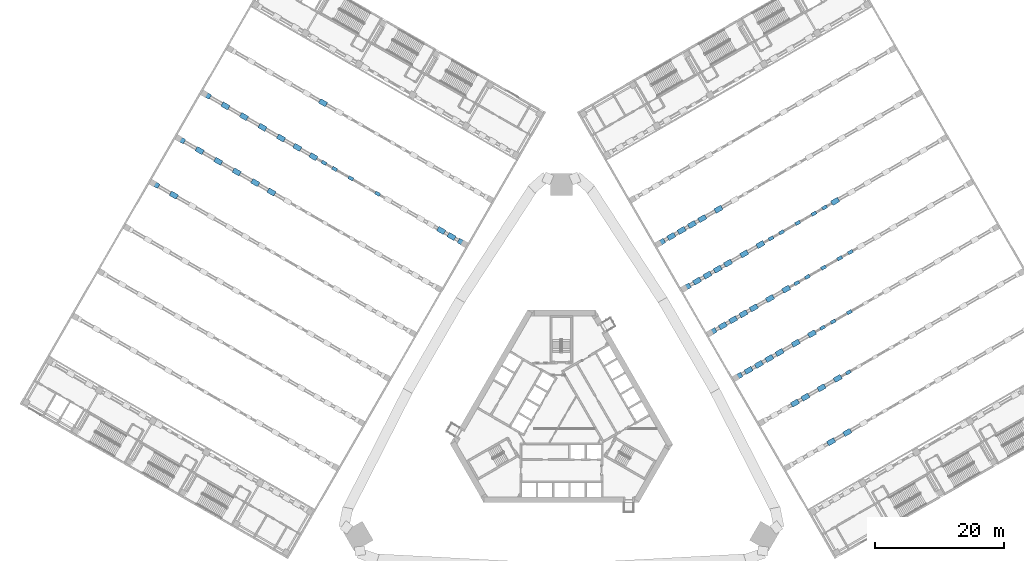
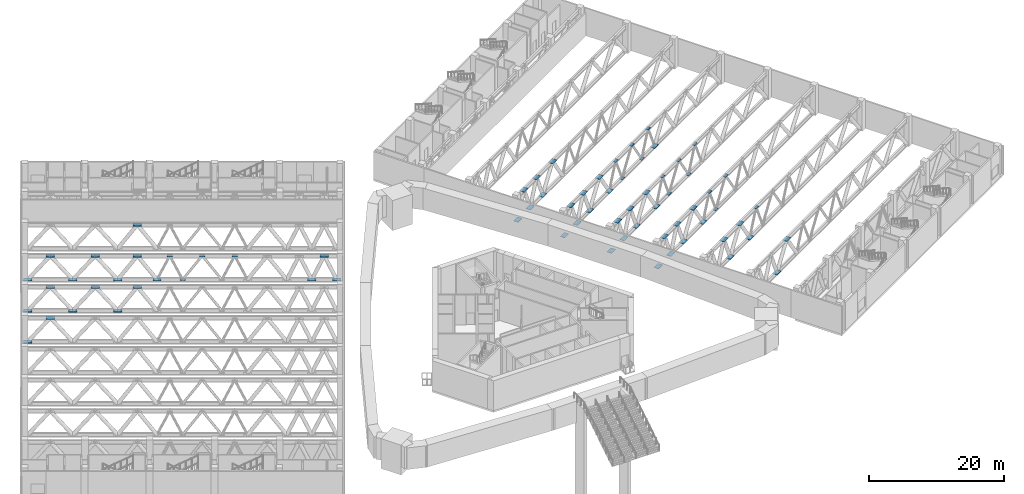
# One storey, part 28 of 37: 71 discrete accessories.
"""IFC4 building model written with IfcOpenShell, lengths in metres."""

from ifc_helpers import new_model, si_unit, direction, frame, origin, place, context, subcontext, project, spatial, polyline, outline, extrude, material, layer, layer_set, type_object, element, save


model = new_model("IFC4")

# Units and contexts
model_context = context("Model", 3, precision=1e-05, world=origin(), true_north=direction((0.0, 1.0)))
body_context = subcontext(model_context, "Body", "Model", "MODEL_VIEW")
ifc_project = project(units=[si_unit("LENGTHUNIT", "METRE"), si_unit("AREAUNIT", "SQUARE_METRE"), si_unit("VOLUMEUNIT", "CUBIC_METRE"), si_unit("PLANEANGLEUNIT", "RADIAN"), si_unit("MASSUNIT", "GRAM", prefix="KILO")], contexts=[model_context])

# Site, building, storey
site_placement = place(None, origin())
site = spatial("IfcSite", under=ifc_project, at=site_placement, CompositionType="ELEMENT")
building_placement = place(site_placement, origin())
building = spatial("IfcBuilding", under=site, at=building_placement, Name="Mestral Congress Tower", CompositionType="ELEMENT")
storey_placement = place(building_placement, frame((0.0, 0.0, 16.199951171875)))
storey = spatial("IfcBuildingStorey", under=building, at=storey_placement, Name="L03", CompositionType="ELEMENT", Elevation=16.199951171875)

# Discrete accessories
ifc_material = material(Name="Steel S355", Category="steel")
ifc_layer_1 = layer(ifc_material, 0.02490234375)
ifc_layer_set_1 = layer_set([ifc_layer_1], Name="Steel S355")
discrete_accessory_type_1 = type_object("IfcDiscreteAccessoryType", Name="Brace end gusset plate 25 S355", PredefinedType="BRACKET", material=ifc_layer_set_1)
placement_1 = place(storey_placement, frame((0.0, 0.0, 4.6875)))
element("IfcDiscreteAccessory", 1, at=placement_1, inside=storey, type_object=discrete_accessory_type_1, Name="Brace end gusset plate 25 S355", PredefinedType="BRACKET", context=body_context, shape_type="SweptSolid", body=[
    extrude(outline(polyline([(-37.3251953125, 39.7197265625), (-36.62109375, 39.3134765625), (-36.357177734375, 39.77099609375), (-37.06103515625, 40.177490234375), (-37.3251953125, 39.7197265625)])), origin(), (0.0, 0.0, 1.0), 0.025146484375),
])
placement_2 = place(storey_placement, frame((0.0, 0.0, 0.387451171875)))
element("IfcDiscreteAccessory", 2, at=placement_2, inside=storey, type_object=discrete_accessory_type_1, Name="Brace end gusset plate 25 S355", PredefinedType="BRACKET", context=body_context, shape_type="SweptSolid", body=[
    extrude(outline(polyline([(-35.6796875, 38.769775390625), (-34.9755859375, 38.36328125), (-34.711669921875, 38.821044921875), (-35.41552734375, 39.227294921875), (-35.6796875, 38.769775390625)])), origin(), (0.0, 0.0, 1.0), 0.025146484375),
])
element("IfcDiscreteAccessory", 3, at=placement_1, inside=storey, type_object=discrete_accessory_type_1, Name="Brace end gusset plate 25 S355", PredefinedType="BRACKET", context=body_context, shape_type="SweptSolid", body=[
    extrude(outline(polyline([(-33.168212890625, 37.31982421875), (-32.464111328125, 36.913330078125), (-32.2001953125, 37.37109375), (-32.904052734375, 37.77734375), (-33.168212890625, 37.31982421875)])), origin(), (0.0, 0.0, 1.0), 0.025146484375),
])
element("IfcDiscreteAccessory", 4, at=placement_1, inside=storey, type_object=discrete_accessory_type_1, Name="Brace end gusset plate 25 S355", PredefinedType="BRACKET", context=body_context, shape_type="SweptSolid", body=[
    extrude(outline(polyline([(-29.01123046875, 34.919921875), (-28.307373046875, 34.513427734375), (-28.043212890625, 34.970947265625), (-28.7470703125, 35.37744140625), (-29.01123046875, 34.919921875)])), origin(), (0.0, 0.0, 1.0), 0.025146484375),
])
element("IfcDiscreteAccessory", 5, at=placement_1, inside=storey, type_object=discrete_accessory_type_1, Name="Brace end gusset plate 25 S355", PredefinedType="BRACKET", context=body_context, shape_type="SweptSolid", body=[
    extrude(outline(polyline([(32.7470703125, 28.44921875), (32.043212890625, 28.042724609375), (32.307373046875, 27.585205078125), (33.01123046875, 27.99169921875), (32.7470703125, 28.44921875)])), origin(), (0.0, 0.0, 1.0), 0.025146484375),
])
element("IfcDiscreteAccessory", 6, at=placement_2, inside=storey, type_object=discrete_accessory_type_1, Name="Brace end gusset plate 25 S355", PredefinedType="BRACKET", context=body_context, shape_type="SweptSolid", body=[
    extrude(outline(polyline([(34.392578125, 29.399169921875), (33.688720703125, 28.992919921875), (33.952880859375, 28.53515625), (34.65673828125, 28.941650390625), (34.392578125, 29.399169921875)])), origin(), (0.0, 0.0, 1.0), 0.025146484375),
])
element("IfcDiscreteAccessory", 7, at=placement_1, inside=storey, type_object=discrete_accessory_type_1, Name="Brace end gusset plate 25 S355", PredefinedType="BRACKET", context=body_context, shape_type="SweptSolid", body=[
    extrude(outline(polyline([(36.7470703125, 21.52099609375), (36.043212890625, 21.114501953125), (36.307373046875, 20.656982421875), (37.01123046875, 21.0634765625), (36.7470703125, 21.52099609375)])), origin(), (0.0, 0.0, 1.0), 0.025146484375),
])
element("IfcDiscreteAccessory", 8, at=placement_1, inside=storey, type_object=discrete_accessory_type_1, Name="Brace end gusset plate 25 S355", PredefinedType="BRACKET", context=body_context, shape_type="SweptSolid", body=[
    extrude(outline(polyline([(36.904052734375, 30.84912109375), (36.2001953125, 30.44287109375), (36.464111328125, 29.985107421875), (37.168212890625, 30.3916015625), (36.904052734375, 30.84912109375)])), origin(), (0.0, 0.0, 1.0), 0.025146484375),
])
element("IfcDiscreteAccessory", 9, at=placement_2, inside=storey, type_object=discrete_accessory_type_1, Name="Brace end gusset plate 25 S355", PredefinedType="BRACKET", context=body_context, shape_type="SweptSolid", body=[
    extrude(outline(polyline([(38.392578125, 22.470947265625), (37.688720703125, 22.064697265625), (37.952880859375, 21.60693359375), (38.65673828125, 22.013427734375), (38.392578125, 22.470947265625)])), origin(), (0.0, 0.0, 1.0), 0.025146484375),
])
element("IfcDiscreteAccessory", 10, at=placement_2, inside=storey, type_object=discrete_accessory_type_1, Name="Brace end gusset plate 25 S355", PredefinedType="BRACKET", context=body_context, shape_type="SweptSolid", body=[
    extrude(outline(polyline([(39.41552734375, 32.29931640625), (38.711669921875, 31.892822265625), (38.9755859375, 31.435302734375), (39.6796875, 31.841552734375), (39.41552734375, 32.29931640625)])), origin(), (0.0, 0.0, 1.0), 0.025146484375),
])
element("IfcDiscreteAccessory", 11, at=placement_1, inside=storey, type_object=discrete_accessory_type_1, Name="Brace end gusset plate 25 S355", PredefinedType="BRACKET", context=body_context, shape_type="SweptSolid", body=[
    extrude(outline(polyline([(40.7470703125, 14.5927734375), (40.043212890625, 14.186279296875), (40.307373046875, 13.728759765625), (41.01123046875, 14.13525390625), (40.7470703125, 14.5927734375)])), origin(), (0.0, 0.0, 1.0), 0.025146484375),
])
element("IfcDiscreteAccessory", 12, at=placement_1, inside=storey, type_object=discrete_accessory_type_1, Name="Brace end gusset plate 25 S355", PredefinedType="BRACKET", context=body_context, shape_type="SweptSolid", body=[
    extrude(outline(polyline([(40.904052734375, 23.9208984375), (40.2001953125, 23.5146484375), (40.464111328125, 23.056884765625), (41.168212890625, 23.46337890625), (40.904052734375, 23.9208984375)])), origin(), (0.0, 0.0, 1.0), 0.025146484375),
])
element("IfcDiscreteAccessory", 13, at=placement_1, inside=storey, type_object=discrete_accessory_type_1, Name="Brace end gusset plate 25 S355", PredefinedType="BRACKET", context=body_context, shape_type="SweptSolid", body=[
    extrude(outline(polyline([(41.06103515625, 33.249267578125), (40.357177734375, 32.8427734375), (40.62109375, 32.38525390625), (41.3251953125, 32.79150390625), (41.06103515625, 33.249267578125)])), origin(), (0.0, 0.0, 1.0), 0.025146484375),
])
element("IfcDiscreteAccessory", 14, at=placement_2, inside=storey, type_object=discrete_accessory_type_1, Name="Brace end gusset plate 25 S355", PredefinedType="BRACKET", context=body_context, shape_type="SweptSolid", body=[
    extrude(outline(polyline([(42.392578125, 15.542724609375), (41.688720703125, 15.136474609375), (41.952880859375, 14.6787109375), (42.65673828125, 15.085205078125), (42.392578125, 15.542724609375)])), origin(), (0.0, 0.0, 1.0), 0.025146484375),
])
element("IfcDiscreteAccessory", 15, at=placement_2, inside=storey, type_object=discrete_accessory_type_1, Name="Brace end gusset plate 25 S355", PredefinedType="BRACKET", context=body_context, shape_type="SweptSolid", body=[
    extrude(outline(polyline([(43.41552734375, 25.37109375), (42.711669921875, 24.964599609375), (42.9755859375, 24.507080078125), (43.6796875, 24.913330078125), (43.41552734375, 25.37109375)])), origin(), (0.0, 0.0, 1.0), 0.025146484375),
])
element("IfcDiscreteAccessory", 16, at=placement_1, inside=storey, type_object=discrete_accessory_type_1, Name="Brace end gusset plate 25 S355", PredefinedType="BRACKET", context=body_context, shape_type="SweptSolid", body=[
    extrude(outline(polyline([(44.7470703125, 7.66455078125), (44.043212890625, 7.25830078125), (44.307373046875, 6.800537109375), (45.01123046875, 7.20703125), (44.7470703125, 7.66455078125)])), origin(), (0.0, 0.0, 1.0), 0.025146484375),
])
element("IfcDiscreteAccessory", 17, at=placement_1, inside=storey, type_object=discrete_accessory_type_1, Name="Brace end gusset plate 25 S355", PredefinedType="BRACKET", context=body_context, shape_type="SweptSolid", body=[
    extrude(outline(polyline([(44.904052734375, 16.992919921875), (44.2001953125, 16.58642578125), (44.464111328125, 16.12890625), (45.168212890625, 16.53515625), (44.904052734375, 16.992919921875)])), origin(), (0.0, 0.0, 1.0), 0.025146484375),
])
element("IfcDiscreteAccessory", 18, at=placement_1, inside=storey, type_object=discrete_accessory_type_1, Name="Brace end gusset plate 25 S355", PredefinedType="BRACKET", context=body_context, shape_type="SweptSolid", body=[
    extrude(outline(polyline([(45.06103515625, 26.321044921875), (44.357177734375, 25.91455078125), (44.62109375, 25.45703125), (45.3251953125, 25.86328125), (45.06103515625, 26.321044921875)])), origin(), (0.0, 0.0, 1.0), 0.025146484375),
])
ifc_layer_2 = layer(ifc_material, 0.034912109375)
ifc_layer_set_2 = layer_set([ifc_layer_2], Name="Steel S355")
discrete_accessory_type_2 = type_object("IfcDiscreteAccessoryType", Name="Brace end gusset plate 35 S355", PredefinedType="BRACKET", material=ifc_layer_set_2)
placement_3 = place(storey_placement, frame((0.0, 0.0, 0.382568359375)))
element("IfcDiscreteAccessory", 19, at=placement_3, inside=storey, type_object=discrete_accessory_type_2, Name="Brace end gusset plate 35 S355", PredefinedType="BRACKET", context=body_context, shape_type="SweptSolid", body=[
    extrude(outline(polyline([(-63.754150390625, 36.3505859375), (-62.697509765625, 35.740478515625), (-62.301025390625, 36.427490234375), (-63.357666015625, 37.037353515625), (-63.754150390625, 36.3505859375)])), origin(), (0.0, 0.0, 1.0), 0.034912109375),
])
placement_4 = place(storey_placement, frame((0.0, 0.0, 4.6826171875)))
element("IfcDiscreteAccessory", 20, at=placement_4, inside=storey, type_object=discrete_accessory_type_2, Name="Brace end gusset plate 35 S355", PredefinedType="BRACKET", context=body_context, shape_type="SweptSolid", body=[
    extrude(outline(polyline([(-60.87451171875, 34.68798828125), (-59.818115234375, 34.078125), (-59.421630859375, 34.764892578125), (-60.47802734375, 35.375), (-60.87451171875, 34.68798828125)])), origin(), (0.0, 0.0, 1.0), 0.034912109375),
])
element("IfcDiscreteAccessory", 21, at=placement_3, inside=storey, type_object=discrete_accessory_type_2, Name="Brace end gusset plate 35 S355", PredefinedType="BRACKET", context=body_context, shape_type="SweptSolid", body=[
    extrude(outline(polyline([(-59.754150390625, 43.27880859375), (-58.697509765625, 42.668701171875), (-58.301025390625, 43.355712890625), (-59.357666015625, 43.965576171875), (-59.754150390625, 43.27880859375)])), origin(), (0.0, 0.0, 1.0), 0.034912109375),
])
element("IfcDiscreteAccessory", 22, at=placement_4, inside=storey, type_object=discrete_accessory_type_2, Name="Brace end gusset plate 35 S355", PredefinedType="BRACKET", context=body_context, shape_type="SweptSolid", body=[
    extrude(outline(polyline([(-56.87451171875, 41.6162109375), (-55.818115234375, 41.00634765625), (-55.421630859375, 41.693115234375), (-56.47802734375, 42.302978515625), (-56.87451171875, 41.6162109375)])), origin(), (0.0, 0.0, 1.0), 0.034912109375),
])
element("IfcDiscreteAccessory", 23, at=placement_3, inside=storey, type_object=discrete_accessory_type_2, Name="Brace end gusset plate 35 S355", PredefinedType="BRACKET", context=body_context, shape_type="SweptSolid", body=[
    extrude(outline(polyline([(-55.754150390625, 50.20703125), (-54.697509765625, 49.596923828125), (-54.301025390625, 50.28369140625), (-55.357666015625, 50.893798828125), (-55.754150390625, 50.20703125)])), origin(), (0.0, 0.0, 1.0), 0.034912109375),
])
element("IfcDiscreteAccessory", 24, at=placement_3, inside=storey, type_object=discrete_accessory_type_2, Name="Brace end gusset plate 35 S355", PredefinedType="BRACKET", context=body_context, shape_type="SweptSolid", body=[
    extrude(outline(polyline([(-53.9951171875, 39.953857421875), (-52.9384765625, 39.34375), (-52.5419921875, 40.030517578125), (-53.598388671875, 40.640625), (-53.9951171875, 39.953857421875)])), origin(), (0.0, 0.0, 1.0), 0.034912109375),
])
element("IfcDiscreteAccessory", 25, at=placement_4, inside=storey, type_object=discrete_accessory_type_2, Name="Brace end gusset plate 35 S355", PredefinedType="BRACKET", context=body_context, shape_type="SweptSolid", body=[
    extrude(outline(polyline([(-52.87451171875, 48.54443359375), (-51.818115234375, 47.9345703125), (-51.421630859375, 48.621337890625), (-52.47802734375, 49.231201171875), (-52.87451171875, 48.54443359375)])), origin(), (0.0, 0.0, 1.0), 0.034912109375),
])
element("IfcDiscreteAccessory", 26, at=placement_4, inside=storey, type_object=discrete_accessory_type_2, Name="Brace end gusset plate 35 S355", PredefinedType="BRACKET", context=body_context, shape_type="SweptSolid", body=[
    extrude(outline(polyline([(-51.115478515625, 38.291259765625), (-50.05908203125, 37.681396484375), (-49.66259765625, 38.3681640625), (-50.718994140625, 38.97802734375), (-51.115478515625, 38.291259765625)])), origin(), (0.0, 0.0, 1.0), 0.034912109375),
])
element("IfcDiscreteAccessory", 27, at=placement_3, inside=storey, type_object=discrete_accessory_type_2, Name="Brace end gusset plate 35 S355", PredefinedType="BRACKET", context=body_context, shape_type="SweptSolid", body=[
    extrude(outline(polyline([(-49.9951171875, 46.882080078125), (-48.9384765625, 46.27197265625), (-48.5419921875, 46.958740234375), (-49.598388671875, 47.56884765625), (-49.9951171875, 46.882080078125)])), origin(), (0.0, 0.0, 1.0), 0.034912109375),
])
element("IfcDiscreteAccessory", 28, at=placement_3, inside=storey, type_object=discrete_accessory_type_2, Name="Brace end gusset plate 35 S355", PredefinedType="BRACKET", context=body_context, shape_type="SweptSolid", body=[
    extrude(outline(polyline([(-48.236083984375, 36.62890625), (-47.179443359375, 36.018798828125), (-46.782958984375, 36.70556640625), (-47.839599609375, 37.315673828125), (-48.236083984375, 36.62890625)])), origin(), (0.0, 0.0, 1.0), 0.034912109375),
])
element("IfcDiscreteAccessory", 29, at=placement_4, inside=storey, type_object=discrete_accessory_type_2, Name="Brace end gusset plate 35 S355", PredefinedType="BRACKET", context=body_context, shape_type="SweptSolid", body=[
    extrude(outline(polyline([(-47.115478515625, 45.219482421875), (-46.05908203125, 44.609619140625), (-45.66259765625, 45.29638671875), (-46.718994140625, 45.90625), (-47.115478515625, 45.219482421875)])), origin(), (0.0, 0.0, 1.0), 0.034912109375),
])
element("IfcDiscreteAccessory", 30, at=placement_4, inside=storey, type_object=discrete_accessory_type_2, Name="Brace end gusset plate 35 S355", PredefinedType="BRACKET", context=body_context, shape_type="SweptSolid", body=[
    extrude(outline(polyline([(-45.724609375, 35.1787109375), (-44.66796875, 34.56884765625), (-44.271484375, 35.255615234375), (-45.327880859375, 35.865478515625), (-45.724609375, 35.1787109375)])), origin(), (0.0, 0.0, 1.0), 0.034912109375),
])
element("IfcDiscreteAccessory", 31, at=placement_3, inside=storey, type_object=discrete_accessory_type_2, Name="Brace end gusset plate 35 S355", PredefinedType="BRACKET", context=body_context, shape_type="SweptSolid", body=[
    extrude(outline(polyline([(-44.236083984375, 43.556884765625), (-43.179443359375, 42.947021484375), (-42.782958984375, 43.6337890625), (-43.839599609375, 44.243896484375), (-44.236083984375, 43.556884765625)])), origin(), (0.0, 0.0, 1.0), 0.034912109375),
])
element("IfcDiscreteAccessory", 32, at=placement_4, inside=storey, type_object=discrete_accessory_type_2, Name="Brace end gusset plate 35 S355", PredefinedType="BRACKET", context=body_context, shape_type="SweptSolid", body=[
    extrude(outline(polyline([(-41.724609375, 42.10693359375), (-40.66796875, 41.4970703125), (-40.271484375, 42.183837890625), (-41.327880859375, 42.793701171875), (-41.724609375, 42.10693359375)])), origin(), (0.0, 0.0, 1.0), 0.034912109375),
])
element("IfcDiscreteAccessory", 33, at=placement_3, inside=storey, type_object=discrete_accessory_type_2, Name="Brace end gusset plate 35 S355", PredefinedType="BRACKET", context=body_context, shape_type="SweptSolid", body=[
    extrude(outline(polyline([(-37.760009765625, 40.73388671875), (-38.81640625, 41.34375), (-39.212890625, 40.656982421875), (-38.156494140625, 40.047119140625), (-37.760009765625, 40.73388671875)])), origin(), (0.0, 0.0, 1.0), 0.034912109375),
])
element("IfcDiscreteAccessory", 34, at=placement_4, inside=storey, type_object=discrete_accessory_type_2, Name="Brace end gusset plate 35 S355", PredefinedType="BRACKET", context=body_context, shape_type="SweptSolid", body=[
    extrude(outline(polyline([(-37.724609375, 49.03515625), (-36.66796875, 48.42529296875), (-36.271484375, 49.112060546875), (-37.327880859375, 49.721923828125), (-37.724609375, 49.03515625)])), origin(), (0.0, 0.0, 1.0), 0.034912109375),
])
element("IfcDiscreteAccessory", 35, at=placement_3, inside=storey, type_object=discrete_accessory_type_2, Name="Brace end gusset plate 35 S355", PredefinedType="BRACKET", context=body_context, shape_type="SweptSolid", body=[
    extrude(outline(polyline([(-19.381103515625, 29.20703125), (-18.324462890625, 28.596923828125), (-17.927978515625, 29.28369140625), (-18.984619140625, 29.893798828125), (-19.381103515625, 29.20703125)])), origin(), (0.0, 0.0, 1.0), 0.034912109375),
])
element("IfcDiscreteAccessory", 36, at=placement_4, inside=storey, type_object=discrete_accessory_type_2, Name="Brace end gusset plate 35 S355", PredefinedType="BRACKET", context=body_context, shape_type="SweptSolid", body=[
    extrude(outline(polyline([(-17.77880859375, 28.281982421875), (-16.722412109375, 27.672119140625), (-16.325927734375, 28.35888671875), (-17.38232421875, 28.96875), (-17.77880859375, 28.281982421875)])), origin(), (0.0, 0.0, 1.0), 0.034912109375),
])
element("IfcDiscreteAccessory", 37, at=placement_3, inside=storey, type_object=discrete_accessory_type_2, Name="Brace end gusset plate 35 S355", PredefinedType="BRACKET", context=body_context, shape_type="SweptSolid", body=[
    extrude(outline(polyline([(-14.7236328125, 27.433837890625), (-15.7802734375, 28.043701171875), (-16.1767578125, 27.35693359375), (-15.1201171875, 26.7470703125), (-14.7236328125, 27.433837890625)])), origin(), (0.0, 0.0, 1.0), 0.034912109375),
])
element("IfcDiscreteAccessory", 38, at=placement_3, inside=storey, type_object=discrete_accessory_type_2, Name="Brace end gusset plate 35 S355", PredefinedType="BRACKET", context=body_context, shape_type="SweptSolid", body=[
    extrude(outline(polyline([(15.1201171875, 26.7470703125), (16.1767578125, 27.35693359375), (15.7802734375, 28.043701171875), (14.7236328125, 27.433837890625), (15.1201171875, 26.7470703125)])), origin(), (0.0, 0.0, 1.0), 0.034912109375),
])
element("IfcDiscreteAccessory", 39, at=placement_4, inside=storey, type_object=discrete_accessory_type_2, Name="Brace end gusset plate 35 S355", PredefinedType="BRACKET", context=body_context, shape_type="SweptSolid", body=[
    extrude(outline(polyline([(17.38232421875, 28.96875), (16.325927734375, 28.35888671875), (16.722412109375, 27.672119140625), (17.77880859375, 28.281982421875), (17.38232421875, 28.96875)])), origin(), (0.0, 0.0, 1.0), 0.034912109375),
])
element("IfcDiscreteAccessory", 40, at=placement_3, inside=storey, type_object=discrete_accessory_type_2, Name="Brace end gusset plate 35 S355", PredefinedType="BRACKET", context=body_context, shape_type="SweptSolid", body=[
    extrude(outline(polyline([(18.984619140625, 29.893798828125), (17.927978515625, 29.28369140625), (18.324462890625, 28.596923828125), (19.381103515625, 29.20703125), (18.984619140625, 29.893798828125)])), origin(), (0.0, 0.0, 1.0), 0.034912109375),
])
element("IfcDiscreteAccessory", 41, at=placement_3, inside=storey, type_object=discrete_accessory_type_2, Name="Brace end gusset plate 35 S355", PredefinedType="BRACKET", context=body_context, shape_type="SweptSolid", body=[
    extrude(outline(polyline([(19.1201171875, 19.81884765625), (20.1767578125, 20.4287109375), (19.7802734375, 21.115478515625), (18.7236328125, 20.505615234375), (19.1201171875, 19.81884765625)])), origin(), (0.0, 0.0, 1.0), 0.034912109375),
])
element("IfcDiscreteAccessory", 42, at=placement_4, inside=storey, type_object=discrete_accessory_type_2, Name="Brace end gusset plate 35 S355", PredefinedType="BRACKET", context=body_context, shape_type="SweptSolid", body=[
    extrude(outline(polyline([(20.586669921875, 30.81884765625), (19.5302734375, 30.208740234375), (19.9267578125, 29.52197265625), (20.983154296875, 30.132080078125), (20.586669921875, 30.81884765625)])), origin(), (0.0, 0.0, 1.0), 0.034912109375),
])
element("IfcDiscreteAccessory", 43, at=placement_4, inside=storey, type_object=discrete_accessory_type_2, Name="Brace end gusset plate 35 S355", PredefinedType="BRACKET", context=body_context, shape_type="SweptSolid", body=[
    extrude(outline(polyline([(21.38232421875, 22.04052734375), (20.325927734375, 21.4306640625), (20.722412109375, 20.743896484375), (21.77880859375, 21.353759765625), (21.38232421875, 22.04052734375)])), origin(), (0.0, 0.0, 1.0), 0.034912109375),
])
element("IfcDiscreteAccessory", 44, at=placement_3, inside=storey, type_object=discrete_accessory_type_2, Name="Brace end gusset plate 35 S355", PredefinedType="BRACKET", context=body_context, shape_type="SweptSolid", body=[
    extrude(outline(polyline([(22.188720703125, 31.743896484375), (21.13232421875, 31.1337890625), (21.52880859375, 30.447021484375), (22.585205078125, 31.056884765625), (22.188720703125, 31.743896484375)])), origin(), (0.0, 0.0, 1.0), 0.034912109375),
])
element("IfcDiscreteAccessory", 45, at=placement_3, inside=storey, type_object=discrete_accessory_type_2, Name="Brace end gusset plate 35 S355", PredefinedType="BRACKET", context=body_context, shape_type="SweptSolid", body=[
    extrude(outline(polyline([(22.984619140625, 22.965576171875), (21.927978515625, 22.355712890625), (22.324462890625, 21.668701171875), (23.381103515625, 22.27880859375), (22.984619140625, 22.965576171875)])), origin(), (0.0, 0.0, 1.0), 0.034912109375),
])
element("IfcDiscreteAccessory", 46, at=placement_3, inside=storey, type_object=discrete_accessory_type_2, Name="Brace end gusset plate 35 S355", PredefinedType="BRACKET", context=body_context, shape_type="SweptSolid", body=[
    extrude(outline(polyline([(23.1201171875, 12.890625), (24.1767578125, 13.50048828125), (23.7802734375, 14.1875), (22.7236328125, 13.577392578125), (23.1201171875, 12.890625)])), origin(), (0.0, 0.0, 1.0), 0.034912109375),
])
element("IfcDiscreteAccessory", 47, at=placement_4, inside=storey, type_object=discrete_accessory_type_2, Name="Brace end gusset plate 35 S355", PredefinedType="BRACKET", context=body_context, shape_type="SweptSolid", body=[
    extrude(outline(polyline([(24.586669921875, 23.890625), (23.5302734375, 23.280517578125), (23.9267578125, 22.59375), (24.983154296875, 23.203857421875), (24.586669921875, 23.890625)])), origin(), (0.0, 0.0, 1.0), 0.034912109375),
])
element("IfcDiscreteAccessory", 48, at=placement_4, inside=storey, type_object=discrete_accessory_type_2, Name="Brace end gusset plate 35 S355", PredefinedType="BRACKET", context=body_context, shape_type="SweptSolid", body=[
    extrude(outline(polyline([(24.7001953125, 33.19384765625), (23.643798828125, 32.583740234375), (24.040283203125, 31.89697265625), (25.0966796875, 32.507080078125), (24.7001953125, 33.19384765625)])), origin(), (0.0, 0.0, 1.0), 0.034912109375),
])
element("IfcDiscreteAccessory", 49, at=placement_4, inside=storey, type_object=discrete_accessory_type_2, Name="Brace end gusset plate 35 S355", PredefinedType="BRACKET", context=body_context, shape_type="SweptSolid", body=[
    extrude(outline(polyline([(25.38232421875, 15.1123046875), (24.325927734375, 14.50244140625), (24.722412109375, 13.815673828125), (25.77880859375, 14.425537109375), (25.38232421875, 15.1123046875)])), origin(), (0.0, 0.0, 1.0), 0.034912109375),
])
element("IfcDiscreteAccessory", 50, at=placement_3, inside=storey, type_object=discrete_accessory_type_2, Name="Brace end gusset plate 35 S355", PredefinedType="BRACKET", context=body_context, shape_type="SweptSolid", body=[
    extrude(outline(polyline([(26.188720703125, 24.815673828125), (25.13232421875, 24.20556640625), (25.52880859375, 23.518798828125), (26.585205078125, 24.12890625), (26.188720703125, 24.815673828125)])), origin(), (0.0, 0.0, 1.0), 0.034912109375),
])
element("IfcDiscreteAccessory", 51, at=placement_3, inside=storey, type_object=discrete_accessory_type_2, Name="Brace end gusset plate 35 S355", PredefinedType="BRACKET", context=body_context, shape_type="SweptSolid", body=[
    extrude(outline(polyline([(26.984619140625, 16.037353515625), (25.927978515625, 15.427490234375), (26.324462890625, 14.740478515625), (27.381103515625, 15.3505859375), (26.984619140625, 16.037353515625)])), origin(), (0.0, 0.0, 1.0), 0.034912109375),
])
element("IfcDiscreteAccessory", 52, at=placement_3, inside=storey, type_object=discrete_accessory_type_2, Name="Brace end gusset plate 35 S355", PredefinedType="BRACKET", context=body_context, shape_type="SweptSolid", body=[
    extrude(outline(polyline([(27.1201171875, 5.96240234375), (28.1767578125, 6.572509765625), (27.7802734375, 7.25927734375), (26.7236328125, 6.649169921875), (27.1201171875, 5.96240234375)])), origin(), (0.0, 0.0, 1.0), 0.034912109375),
])
element("IfcDiscreteAccessory", 53, at=placement_4, inside=storey, type_object=discrete_accessory_type_2, Name="Brace end gusset plate 35 S355", PredefinedType="BRACKET", context=body_context, shape_type="SweptSolid", body=[
    extrude(outline(polyline([(28.586669921875, 16.96240234375), (27.5302734375, 16.352294921875), (27.9267578125, 15.66552734375), (28.983154296875, 16.275634765625), (28.586669921875, 16.96240234375)])), origin(), (0.0, 0.0, 1.0), 0.034912109375),
])
element("IfcDiscreteAccessory", 54, at=placement_4, inside=storey, type_object=discrete_accessory_type_2, Name="Brace end gusset plate 35 S355", PredefinedType="BRACKET", context=body_context, shape_type="SweptSolid", body=[
    extrude(outline(polyline([(28.7001953125, 26.265625), (27.643798828125, 25.655517578125), (28.040283203125, 24.96875), (29.0966796875, 25.578857421875), (28.7001953125, 26.265625)])), origin(), (0.0, 0.0, 1.0), 0.034912109375),
])
element("IfcDiscreteAccessory", 55, at=placement_4, inside=storey, type_object=discrete_accessory_type_2, Name="Brace end gusset plate 35 S355", PredefinedType="BRACKET", context=body_context, shape_type="SweptSolid", body=[
    extrude(outline(polyline([(29.38232421875, 8.18408203125), (28.325927734375, 7.57421875), (28.722412109375, 6.887451171875), (29.77880859375, 7.497314453125), (29.38232421875, 8.18408203125)])), origin(), (0.0, 0.0, 1.0), 0.034912109375),
])
element("IfcDiscreteAccessory", 56, at=placement_3, inside=storey, type_object=discrete_accessory_type_2, Name="Brace end gusset plate 35 S355", PredefinedType="BRACKET", context=body_context, shape_type="SweptSolid", body=[
    extrude(outline(polyline([(30.188720703125, 17.887451171875), (29.13232421875, 17.27734375), (29.52880859375, 16.590576171875), (30.585205078125, 17.20068359375), (30.188720703125, 17.887451171875)])), origin(), (0.0, 0.0, 1.0), 0.034912109375),
])
element("IfcDiscreteAccessory", 57, at=placement_3, inside=storey, type_object=discrete_accessory_type_2, Name="Brace end gusset plate 35 S355", PredefinedType="BRACKET", context=body_context, shape_type="SweptSolid", body=[
    extrude(outline(polyline([(30.984619140625, 9.109130859375), (29.927978515625, 8.499267578125), (30.324462890625, 7.8125), (31.381103515625, 8.42236328125), (30.984619140625, 9.109130859375)])), origin(), (0.0, 0.0, 1.0), 0.034912109375),
])
element("IfcDiscreteAccessory", 58, at=placement_3, inside=storey, type_object=discrete_accessory_type_2, Name="Brace end gusset plate 35 S355", PredefinedType="BRACKET", context=body_context, shape_type="SweptSolid", body=[
    extrude(outline(polyline([(31.2119140625, 27.715576171875), (30.1552734375, 27.105712890625), (30.5517578125, 26.418701171875), (31.6083984375, 27.02880859375), (31.2119140625, 27.715576171875)])), origin(), (0.0, 0.0, 1.0), 0.034912109375),
])
element("IfcDiscreteAccessory", 59, at=placement_4, inside=storey, type_object=discrete_accessory_type_2, Name="Brace end gusset plate 35 S355", PredefinedType="BRACKET", context=body_context, shape_type="SweptSolid", body=[
    extrude(outline(polyline([(32.586669921875, 10.0341796875), (31.5302734375, 9.42431640625), (31.9267578125, 8.7373046875), (32.983154296875, 9.347412109375), (32.586669921875, 10.0341796875)])), origin(), (0.0, 0.0, 1.0), 0.034912109375),
])
element("IfcDiscreteAccessory", 60, at=placement_4, inside=storey, type_object=discrete_accessory_type_2, Name="Brace end gusset plate 35 S355", PredefinedType="BRACKET", context=body_context, shape_type="SweptSolid", body=[
    extrude(outline(polyline([(32.7001953125, 19.33740234375), (31.643798828125, 18.727294921875), (32.040283203125, 18.04052734375), (33.0966796875, 18.650634765625), (32.7001953125, 19.33740234375)])), origin(), (0.0, 0.0, 1.0), 0.034912109375),
])
element("IfcDiscreteAccessory", 61, at=placement_3, inside=storey, type_object=discrete_accessory_type_2, Name="Brace end gusset plate 35 S355", PredefinedType="BRACKET", context=body_context, shape_type="SweptSolid", body=[
    extrude(outline(polyline([(34.188720703125, 10.959228515625), (33.13232421875, 10.34912109375), (33.52880859375, 9.662353515625), (34.585205078125, 10.2724609375), (34.188720703125, 10.959228515625)])), origin(), (0.0, 0.0, 1.0), 0.034912109375),
])
element("IfcDiscreteAccessory", 62, at=placement_3, inside=storey, type_object=discrete_accessory_type_2, Name="Brace end gusset plate 35 S355", PredefinedType="BRACKET", context=body_context, shape_type="SweptSolid", body=[
    extrude(outline(polyline([(35.2119140625, 20.787353515625), (34.1552734375, 20.177490234375), (34.5517578125, 19.490478515625), (35.6083984375, 20.1005859375), (35.2119140625, 20.787353515625)])), origin(), (0.0, 0.0, 1.0), 0.034912109375),
])
element("IfcDiscreteAccessory", 63, at=placement_4, inside=storey, type_object=discrete_accessory_type_2, Name="Brace end gusset plate 35 S355", PredefinedType="BRACKET", context=body_context, shape_type="SweptSolid", body=[
    extrude(outline(polyline([(36.586669921875, 3.10595703125), (35.5302734375, 2.49609375), (35.9267578125, 1.80908203125), (36.983154296875, 2.419189453125), (36.586669921875, 3.10595703125)])), origin(), (0.0, 0.0, 1.0), 0.034912109375),
])
element("IfcDiscreteAccessory", 64, at=placement_4, inside=storey, type_object=discrete_accessory_type_2, Name="Brace end gusset plate 35 S355", PredefinedType="BRACKET", context=body_context, shape_type="SweptSolid", body=[
    extrude(outline(polyline([(36.7001953125, 12.4091796875), (35.643798828125, 11.79931640625), (36.040283203125, 11.1123046875), (37.0966796875, 11.722412109375), (36.7001953125, 12.4091796875)])), origin(), (0.0, 0.0, 1.0), 0.034912109375),
])
element("IfcDiscreteAccessory", 65, at=placement_3, inside=storey, type_object=discrete_accessory_type_2, Name="Brace end gusset plate 35 S355", PredefinedType="BRACKET", context=body_context, shape_type="SweptSolid", body=[
    extrude(outline(polyline([(38.188720703125, 4.031005859375), (37.13232421875, 3.4208984375), (37.52880859375, 2.734130859375), (38.585205078125, 3.34423828125), (38.188720703125, 4.031005859375)])), origin(), (0.0, 0.0, 1.0), 0.034912109375),
])
element("IfcDiscreteAccessory", 66, at=placement_3, inside=storey, type_object=discrete_accessory_type_2, Name="Brace end gusset plate 35 S355", PredefinedType="BRACKET", context=body_context, shape_type="SweptSolid", body=[
    extrude(outline(polyline([(39.2119140625, 13.859130859375), (38.1552734375, 13.249267578125), (38.5517578125, 12.5625), (39.6083984375, 13.17236328125), (39.2119140625, 13.859130859375)])), origin(), (0.0, 0.0, 1.0), 0.034912109375),
])
element("IfcDiscreteAccessory", 67, at=placement_4, inside=storey, type_object=discrete_accessory_type_2, Name="Brace end gusset plate 35 S355", PredefinedType="BRACKET", context=body_context, shape_type="SweptSolid", body=[
    extrude(outline(polyline([(40.7001953125, 5.48095703125), (39.643798828125, 4.87109375), (40.040283203125, 4.18408203125), (41.0966796875, 4.794189453125), (40.7001953125, 5.48095703125)])), origin(), (0.0, 0.0, 1.0), 0.034912109375),
])
element("IfcDiscreteAccessory", 68, at=placement_3, inside=storey, type_object=discrete_accessory_type_2, Name="Brace end gusset plate 35 S355", PredefinedType="BRACKET", context=body_context, shape_type="SweptSolid", body=[
    extrude(outline(polyline([(42.188720703125, -2.897216796875), (41.13232421875, -3.507080078125), (41.52880859375, -4.194091796875), (42.585205078125, -3.583984375), (42.188720703125, -2.897216796875)])), origin(), (0.0, 0.0, 1.0), 0.034912109375),
])
element("IfcDiscreteAccessory", 69, at=placement_3, inside=storey, type_object=discrete_accessory_type_2, Name="Brace end gusset plate 35 S355", PredefinedType="BRACKET", context=body_context, shape_type="SweptSolid", body=[
    extrude(outline(polyline([(42.156494140625, 33.118896484375), (43.212890625, 33.728759765625), (42.81640625, 34.41552734375), (41.760009765625, 33.8056640625), (42.156494140625, 33.118896484375)])), origin(), (0.0, 0.0, 1.0), 0.034912109375),
])
element("IfcDiscreteAccessory", 70, at=placement_3, inside=storey, type_object=discrete_accessory_type_2, Name="Brace end gusset plate 35 S355", PredefinedType="BRACKET", context=body_context, shape_type="SweptSolid", body=[
    extrude(outline(polyline([(43.2119140625, 6.930908203125), (42.1552734375, 6.321044921875), (42.5517578125, 5.63427734375), (43.6083984375, 6.244140625), (43.2119140625, 6.930908203125)])), origin(), (0.0, 0.0, 1.0), 0.034912109375),
])
element("IfcDiscreteAccessory", 71, at=placement_4, inside=storey, type_object=discrete_accessory_type_2, Name="Brace end gusset plate 35 S355", PredefinedType="BRACKET", context=body_context, shape_type="SweptSolid", body=[
    extrude(outline(polyline([(44.7001953125, -1.447265625), (43.643798828125, -2.05712890625), (44.040283203125, -2.743896484375), (45.0966796875, -2.134033203125), (44.7001953125, -1.447265625)])), origin(), (0.0, 0.0, 1.0), 0.034912109375),
])

save(model, "model.ifc")
